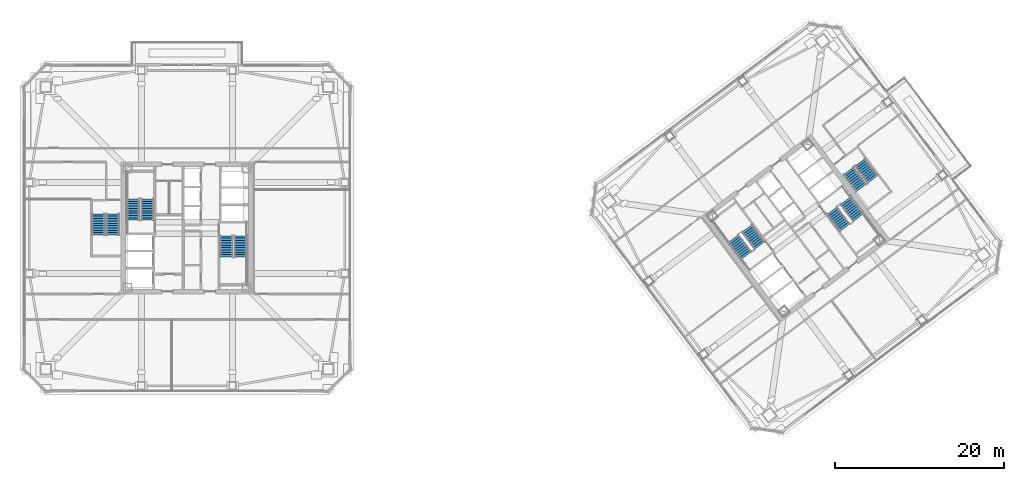
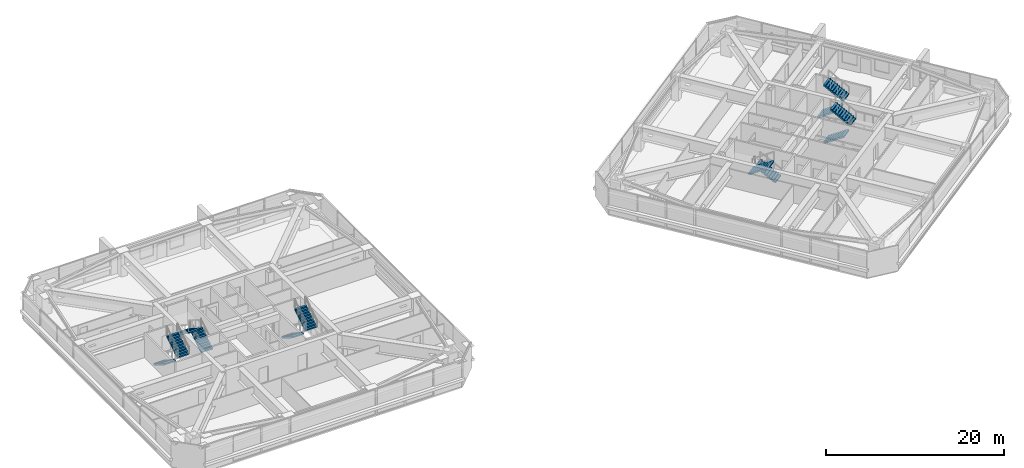
# One storey, part 36 of 42: 12 stair flights, 6 elements without a shape of their own.
"""IFC4 building model written with IfcOpenShell, lengths in metres."""

import ifcopenshell
import ifcopenshell.guid

model = None  # the IFC model being written
_history = None  # IfcOwnerHistory: only IFC2X3 demands one
_inside = {}  # id of a spatial element -> (the spatial element, [elements in it])
_under = {}  # id of a project, library or spatial element -> (it, [spatial elements below it])
_declared = {}  # id of a project -> (the project, [libraries it declares])
_typed = {}  # id of a type object -> (the type object, [elements of that type])
_made_of = {}  # id of a material, layer set ... -> (it, [elements and type objects made of it])


def new_model(schema):
    """Start an empty IFC model of exactly this schema.

    Asked for "IFC4X3", IfcOpenShell would pick the latest addendum, in which some entities
    have other attributes; the version numbers below select the first issue.
    IFC2X3 requires an IfcOwnerHistory on every rooted entity: one is made here for all.
    """
    global model, _history
    if schema == "IFC4X3":
        model = ifcopenshell.file(schema_version=(4, 3, 0, 0))
    else:
        model = ifcopenshell.file(schema=schema)
    _inside.clear()
    _under.clear()
    _declared.clear()
    _typed.clear()
    _made_of.clear()
    _history = None
    if model.schema == "IFC2X3":
        org = make("IfcOrganization", Name="unknown")
        user = make(
            "IfcPersonAndOrganization",
            ThePerson=make("IfcPerson", FamilyName="unknown"),
            TheOrganization=org,
        )
        app = make(
            "IfcApplication",
            ApplicationDeveloper=org,
            Version="unknown",
            ApplicationFullName="unknown",
            ApplicationIdentifier="unknown",
        )
        _history = make(
            "IfcOwnerHistory",
            OwningUser=user,
            OwningApplication=app,
            ChangeAction="ADDED",
            CreationDate=0,
        )
    return model


def make(cls, **values):
    """One entity of the class cls with the attributes given. An attribute that is None is left unset."""
    return model.create_entity(
        cls, **{name: value for name, value in values.items() if value is not None}
    )


def rooted(cls, **values):
    """An entity with a GlobalId (a new one), such as an element, a storey or a relation."""
    return make(cls, GlobalId=ifcopenshell.guid.new(), OwnerHistory=_history, **values)


def si_unit(unit_type, name, prefix=None):
    """IfcSIUnit, for example si_unit("LENGTHUNIT", "METRE", prefix="MILLI")."""
    return make("IfcSIUnit", UnitType=unit_type, Prefix=prefix, Name=name)


def assignment(units):
    """IfcUnitAssignment: the units of a project."""
    return None if units is None else make("IfcUnitAssignment", Units=units)


def point(xyz):
    """IfcCartesianPoint."""
    return None if xyz is None else make("IfcCartesianPoint", Coordinates=xyz)


def direction(xyz):
    """IfcDirection."""
    return None if xyz is None else make("IfcDirection", DirectionRatios=xyz)


def frame(location, z_axis=None, x_axis=None):
    """IfcAxis2Placement3D, a coordinate frame: its origin and axes. An axis left out is left unset."""
    return make(
        "IfcAxis2Placement3D",
        Location=point(location),
        Axis=direction(z_axis),
        RefDirection=direction(x_axis),
    )


def origin():
    """The frame at (0, 0, 0) with its axes left unset."""
    return frame((0.0, 0.0, 0.0))


def place(relative_to, where):
    """IfcLocalPlacement: puts the frame where relative to a parent placement (None: the world)."""
    return make(
        "IfcLocalPlacement", PlacementRelTo=relative_to, RelativePlacement=where
    )


def context(
    kind, dimensions, precision=None, world=None, true_north=None, identifier=None
):
    """IfcGeometricRepresentationContext, for example the 3D "Model" context."""
    return make(
        "IfcGeometricRepresentationContext",
        ContextIdentifier=identifier,
        ContextType=kind,
        CoordinateSpaceDimension=dimensions,
        Precision=precision,
        WorldCoordinateSystem=world,
        TrueNorth=true_north,
    )


def subcontext(parent, identifier, kind, view, scale=None):
    """IfcGeometricRepresentationSubContext, for example "Body" below "Model"."""
    return make(
        "IfcGeometricRepresentationSubContext",
        ContextIdentifier=identifier,
        ContextType=kind,
        ParentContext=parent,
        TargetScale=scale,
        TargetView=view,
    )


def project(units=None, contexts=None):
    """IfcProject with its units and contexts."""
    return rooted(
        "IfcProject",
        Name="project",
        RepresentationContexts=contexts,
        UnitsInContext=assignment(units),
    )


def spatial(cls, under=None, at=None, **own):
    """A site, building, storey or space (cls), placed at a placement, below another one or the project."""
    s = rooted(cls, ObjectPlacement=at, **own)
    if under is not None:
        _under.setdefault(under.id(), (under, []))[1].append(s)
    return s


def polyline(points):
    """IfcPolyline through the points."""
    return make("IfcPolyline", Points=[point(p) for p in points])


def outline(outer, holes=None, kind="AREA"):
    """IfcArbitraryClosedProfileDef: a profile drawn as a closed curve; with holes, ...WithVoids."""
    if holes is None:
        return make("IfcArbitraryClosedProfileDef", ProfileType=kind, OuterCurve=outer)
    return make(
        "IfcArbitraryProfileDefWithVoids",
        ProfileType=kind,
        OuterCurve=outer,
        InnerCurves=holes,
    )


def extrude(swept, where, along, depth):
    """IfcExtrudedAreaSolid: the profile swept, set in the frame where, extruded along a direction by depth."""
    return make(
        "IfcExtrudedAreaSolid",
        SweptArea=swept,
        Position=where,
        ExtrudedDirection=direction(along),
        Depth=depth,
    )


def shape(context_of_items, identifier, shape_type, items):
    """IfcShapeRepresentation: the items that make up one representation, for example the "Body"."""
    return make(
        "IfcShapeRepresentation",
        ContextOfItems=context_of_items,
        RepresentationIdentifier=identifier,
        RepresentationType=shape_type,
        Items=items,
    )


def material(Name=None, Category=None):
    """IfcMaterial."""
    return make("IfcMaterial", Name=Name, Category=Category)


def made_of(thing, what):
    """Note that an element or type object is made of a material, layer set ...; save() writes the relation."""
    if what is not None:
        _made_of.setdefault(what.id(), (what, []))[1].append(thing)
    return thing


def type_object(cls, material=None, **own):
    """A type object (cls), such as IfcWallType, which elements share."""
    return made_of(rooted(cls, **own), material)


def element(
    cls,
    number,
    at=None,
    inside=None,
    cuts=None,
    type_object=None,
    material=None,
    context=None,
    identifier="Body",
    shape_type=None,
    held_by="IfcProductDefinitionShape",
    body=None,
    shapes=None,
    **own,
):
    """One element of the class cls, such as IfcWall. Its Tag is "e" and its number.

    at: its placement. inside: the storey or other place that contains it. cuts: it is an
    opening in that element (IfcRelVoidsElement). A single representation is given by context,
    identifier, shape_type and body (its items); several are given by shapes. held_by: the class
    of the entity that holds the representations. save() writes the other relations.
    """
    e = rooted(cls, Tag="e%d" % number, ObjectPlacement=at, **own)
    if body is not None:
        shapes = [shape(context, identifier, shape_type, body)]
    if shapes is not None:
        e.Representation = make(held_by, Representations=shapes)
    if inside is not None:
        _inside.setdefault(inside.id(), (inside, []))[1].append(e)
    if cuts is not None:
        rooted(
            "IfcRelVoidsElement", RelatingBuildingElement=cuts, RelatedOpeningElement=e
        )
    if type_object is not None:
        _typed.setdefault(type_object.id(), (type_object, []))[1].append(e)
    return made_of(e, material)


def aggregate(whole, parts):
    """IfcRelAggregates: a whole, such as a stair, and the parts it consists of."""
    return rooted("IfcRelAggregates", RelatingObject=whole, RelatedObjects=parts)


def save(model, path):
    """Write the relations noted so far, then the file.

    IfcRelAggregates (storeys below a building ...), IfcRelContainedInSpatialStructure (elements
    in a storey), IfcRelDefinesByType, IfcRelAssociatesMaterial and IfcRelDeclares: one each for
    every whole, place, type object, material and project.
    """
    for whole, parts in _under.values():
        aggregate(whole, parts)
    for where, things in _inside.values():
        rooted(
            "IfcRelContainedInSpatialStructure",
            RelatedElements=things,
            RelatingStructure=where,
        )
    for kind, things in _typed.values():
        rooted("IfcRelDefinesByType", RelatedObjects=things, RelatingType=kind)
    for what, things in _made_of.values():
        rooted("IfcRelAssociatesMaterial", RelatedObjects=things, RelatingMaterial=what)
    for by, libraries in _declared.values():
        rooted("IfcRelDeclares", RelatingContext=by, RelatedDefinitions=libraries)
    model.write(path)


model = new_model("IFC4")

# Units and contexts
model_context = context("Model", 3, precision=1e-05, world=origin(), true_north=direction((0.0, 1.0)))
body_context = subcontext(model_context, "Body", "Model", "MODEL_VIEW")
ifc_project = project(units=[si_unit("LENGTHUNIT", "METRE"), si_unit("AREAUNIT", "SQUARE_METRE"), si_unit("VOLUMEUNIT", "CUBIC_METRE"), si_unit("PLANEANGLEUNIT", "RADIAN"), si_unit("MASSUNIT", "GRAM", prefix="KILO")], contexts=[model_context])

# Site, building, storey
site_placement = place(None, origin())
site = spatial("IfcSite", under=ifc_project, at=site_placement, CompositionType="ELEMENT")
building_placement = place(site_placement, origin())
building = spatial("IfcBuilding", under=site, at=building_placement, Name="Tashvorn Skyway Center", CompositionType="ELEMENT")
storey_placement = place(building_placement, frame((0.0, 0.0, 153.449951171875)))
storey = spatial("IfcBuildingStorey", under=building, at=storey_placement, Name="L41", CompositionType="ELEMENT", Elevation=153.449951171875)

# Stair, stair flights
ifc_material = material(Name="Concrete C40/50", Category="concrete")
stair_type = type_object("IfcStairType", Name="STAIR-CORE-1500", PredefinedType="HALF_TURN_STAIR", material=ifc_material)
stair_1_placement = place(storey_placement, origin())
stair_1 = element("IfcStair", 1, at=stair_1_placement, inside=storey, type_object=stair_type, Name="L41 Tower 1 Exit Stair 1", PredefinedType="HALF_TURN_STAIR")
stair_flight_type = type_object("IfcStairFlightType", Name="SFLIGHT-1500", PredefinedType="STRAIGHT", material=ifc_material)
stair_flight_1_placement = place(storey_placement, frame((37.35009765625, 32.919921875, 0.0), z_axis=(0.0, 0.0, 1.0), x_axis=(0.0, 1.0, 0.0)))
stair_flight_1 = element("IfcStairFlight", 2, at=stair_flight_1_placement, type_object=stair_flight_type, Name="ST-T1-1 flight 1", NumberOfRisers=10, NumberOfTreads=9, PredefinedType="STRAIGHT", RiserHeight=0.1775, TreadLength=0.28, context=body_context, shape_type="SweptSolid", body=[
    extrude(outline(polyline([(0.0, 0.0), (0.0, 0.177490234375), (0.280029296875, 0.177490234375), (0.280029296875, 0.35498046875), (0.56005859375, 0.35498046875), (0.56005859375, 0.532470703125), (0.840087890625, 0.532470703125), (0.840087890625, 0.7099609375), (1.1201171875, 0.7099609375), (1.1201171875, 0.887451171875), (1.39990234375, 0.887451171875), (1.39990234375, 1.06494140625), (1.679931640625, 1.06494140625), (1.679931640625, 1.242431640625), (1.9599609375, 1.242431640625), (1.9599609375, 1.419921875), (2.239990234375, 1.419921875), (2.239990234375, 1.597412109375), (2.52001953125, 1.597412109375), (2.52001953125, 1.77490234375), (2.52001953125, 1.419921875), (0.280029296875, 0.0), (0.0, 0.0)])), frame((0.0, 0.75, 0.0), z_axis=(0.0, -1.0, 0.0), x_axis=(1.0, 0.0, 0.0)), (0.0, 0.0, 1.0), 1.5),
])
stair_flight_2_placement = place(storey_placement, frame((35.64990234375, 35.43994140625, 1.775146484375), z_axis=(0.0, 0.0, 1.0), x_axis=(0.0, -1.0, 0.0)))
stair_flight_2 = element("IfcStairFlight", 3, at=stair_flight_2_placement, type_object=stair_flight_type, Name="ST-T1-1 flight 2", NumberOfRisers=10, NumberOfTreads=9, PredefinedType="STRAIGHT", RiserHeight=0.1775, TreadLength=0.28, context=body_context, shape_type="SweptSolid", body=[
    extrude(outline(polyline([(0.0, 0.0), (0.0, 0.177490234375), (0.280029296875, 0.177490234375), (0.280029296875, 0.35498046875), (0.56005859375, 0.35498046875), (0.56005859375, 0.532470703125), (0.840087890625, 0.532470703125), (0.840087890625, 0.7099609375), (1.1201171875, 0.7099609375), (1.1201171875, 0.887451171875), (1.39990234375, 0.887451171875), (1.39990234375, 1.06494140625), (1.679931640625, 1.06494140625), (1.679931640625, 1.242431640625), (1.9599609375, 1.242431640625), (1.9599609375, 1.419921875), (2.239990234375, 1.419921875), (2.239990234375, 1.597412109375), (2.52001953125, 1.597412109375), (2.52001953125, 1.77490234375), (2.52001953125, 1.419921875), (0.280029296875, 0.0), (0.0, 0.0)])), frame((0.0, 0.75, 0.0), z_axis=(0.0, -1.0, 0.0), x_axis=(1.0, 0.0, 0.0)), (0.0, 0.0, 1.0), 1.5),
])
aggregate(stair_1, [stair_flight_1, stair_flight_2])

stair_2_placement = place(storey_placement, origin())
stair_2 = element("IfcStair", 4, at=stair_2_placement, inside=storey, type_object=stair_type, Name="L41 Tower 1 Exit Stair 2", PredefinedType="HALF_TURN_STAIR")
stair_flight_3_placement = place(storey_placement, frame((46.64990234375, 31.080078125, 0.0), z_axis=(0.0, 0.0, 1.0), x_axis=(0.0, -1.0, 0.0)))
stair_flight_3 = element("IfcStairFlight", 5, at=stair_flight_3_placement, type_object=stair_flight_type, Name="ST-T1-2 flight 1", NumberOfRisers=10, NumberOfTreads=9, PredefinedType="STRAIGHT", RiserHeight=0.1775, TreadLength=0.28, context=body_context, shape_type="SweptSolid", body=[
    extrude(outline(polyline([(0.0, 0.0), (0.0, 0.177490234375), (0.280029296875, 0.177490234375), (0.280029296875, 0.35498046875), (0.56005859375, 0.35498046875), (0.56005859375, 0.532470703125), (0.840087890625, 0.532470703125), (0.840087890625, 0.7099609375), (1.1201171875, 0.7099609375), (1.1201171875, 0.887451171875), (1.39990234375, 0.887451171875), (1.39990234375, 1.06494140625), (1.679931640625, 1.06494140625), (1.679931640625, 1.242431640625), (1.9599609375, 1.242431640625), (1.9599609375, 1.419921875), (2.239990234375, 1.419921875), (2.239990234375, 1.597412109375), (2.52001953125, 1.597412109375), (2.52001953125, 1.77490234375), (2.52001953125, 1.419921875), (0.280029296875, 0.0), (0.0, 0.0)])), frame((0.0, 0.75, 0.0), z_axis=(0.0, -1.0, 0.0), x_axis=(1.0, 0.0, 0.0)), (0.0, 0.0, 1.0), 1.5),
])
stair_flight_4_placement = place(storey_placement, frame((48.35009765625, 28.56005859375, 1.775146484375), z_axis=(0.0, 0.0, 1.0), x_axis=(0.0, 1.0, 0.0)))
stair_flight_4 = element("IfcStairFlight", 6, at=stair_flight_4_placement, type_object=stair_flight_type, Name="ST-T1-2 flight 2", NumberOfRisers=10, NumberOfTreads=9, PredefinedType="STRAIGHT", RiserHeight=0.1775, TreadLength=0.28, context=body_context, shape_type="SweptSolid", body=[
    extrude(outline(polyline([(0.0, 0.0), (0.0, 0.177490234375), (0.280029296875, 0.177490234375), (0.280029296875, 0.35498046875), (0.56005859375, 0.35498046875), (0.56005859375, 0.532470703125), (0.840087890625, 0.532470703125), (0.840087890625, 0.7099609375), (1.1201171875, 0.7099609375), (1.1201171875, 0.887451171875), (1.39990234375, 0.887451171875), (1.39990234375, 1.06494140625), (1.679931640625, 1.06494140625), (1.679931640625, 1.242431640625), (1.9599609375, 1.242431640625), (1.9599609375, 1.419921875), (2.239990234375, 1.419921875), (2.239990234375, 1.597412109375), (2.52001953125, 1.597412109375), (2.52001953125, 1.77490234375), (2.52001953125, 1.419921875), (0.280029296875, 0.0), (0.0, 0.0)])), frame((0.0, 0.75, 0.0), z_axis=(0.0, -1.0, 0.0), x_axis=(1.0, 0.0, 0.0)), (0.0, 0.0, 1.0), 1.5),
])
aggregate(stair_2, [stair_flight_3, stair_flight_4])

stair_3_placement = place(storey_placement, origin())
stair_3 = element("IfcStair", 7, at=stair_3_placement, inside=storey, type_object=stair_type, Name="L41 Tower 2 Exit Stair 1", PredefinedType="HALF_TURN_STAIR")
stair_flight_5_placement = place(storey_placement, frame((109.72802734375, 29.946044921875, 0.0), z_axis=(0.0, 0.0, 1.0), x_axis=(-0.600000004945, 0.799999996291, 0.0)))
stair_flight_5 = element("IfcStairFlight", 8, at=stair_flight_5_placement, type_object=stair_flight_type, Name="ST-T2-1 flight 1", NumberOfRisers=10, NumberOfTreads=9, PredefinedType="STRAIGHT", RiserHeight=0.1775, TreadLength=0.28, context=body_context, shape_type="SweptSolid", body=[
    extrude(outline(polyline([(0.0, 0.0), (0.0, 0.177490234375), (0.280029296875, 0.177490234375), (0.280029296875, 0.35498046875), (0.56005859375, 0.35498046875), (0.56005859375, 0.532470703125), (0.840087890625, 0.532470703125), (0.840087890625, 0.7099609375), (1.1201171875, 0.7099609375), (1.1201171875, 0.887451171875), (1.39990234375, 0.887451171875), (1.39990234375, 1.06494140625), (1.679931640625, 1.06494140625), (1.679931640625, 1.242431640625), (1.9599609375, 1.242431640625), (1.9599609375, 1.419921875), (2.239990234375, 1.419921875), (2.239990234375, 1.597412109375), (2.52001953125, 1.597412109375), (2.52001953125, 1.77490234375), (2.52001953125, 1.419921875), (0.280029296875, 0.0), (0.0, 0.0)])), frame((0.0, 0.75, 0.0), z_axis=(0.0, -1.0, 0.0), x_axis=(1.0, 0.0, 0.0)), (0.0, 0.0, 1.0), 1.5),
])
stair_flight_6_placement = place(storey_placement, frame((106.632080078125, 30.77392578125, 1.775146484375), z_axis=(0.0, 0.0, 1.0), x_axis=(0.600000004945, -0.799999996291, 0.0)))
stair_flight_6 = element("IfcStairFlight", 9, at=stair_flight_6_placement, type_object=stair_flight_type, Name="ST-T2-1 flight 2", NumberOfRisers=10, NumberOfTreads=9, PredefinedType="STRAIGHT", RiserHeight=0.1775, TreadLength=0.28, context=body_context, shape_type="SweptSolid", body=[
    extrude(outline(polyline([(0.0, 0.0), (0.0, 0.177490234375), (0.280029296875, 0.177490234375), (0.280029296875, 0.35498046875), (0.56005859375, 0.35498046875), (0.56005859375, 0.532470703125), (0.840087890625, 0.532470703125), (0.840087890625, 0.7099609375), (1.1201171875, 0.7099609375), (1.1201171875, 0.887451171875), (1.39990234375, 0.887451171875), (1.39990234375, 1.06494140625), (1.679931640625, 1.06494140625), (1.679931640625, 1.242431640625), (1.9599609375, 1.242431640625), (1.9599609375, 1.419921875), (2.239990234375, 1.419921875), (2.239990234375, 1.597412109375), (2.52001953125, 1.597412109375), (2.52001953125, 1.77490234375), (2.52001953125, 1.419921875), (0.280029296875, 0.0), (0.0, 0.0)])), frame((0.0, 0.75, 0.0), z_axis=(0.0, -1.0, 0.0), x_axis=(1.0, 0.0, 0.0)), (0.0, 0.0, 1.0), 1.5),
])
aggregate(stair_3, [stair_flight_5, stair_flight_6])

stair_4_placement = place(storey_placement, origin())
stair_4 = element("IfcStair", 10, at=stair_4_placement, inside=storey, type_object=stair_type, Name="L41 Tower 2 Exit Stair 2", PredefinedType="HALF_TURN_STAIR")
stair_flight_7_placement = place(storey_placement, frame((118.27197265625, 34.053955078125, 0.0), z_axis=(0.0, 0.0, 1.0), x_axis=(0.600000004945, -0.799999996291, 0.0)))
stair_flight_7 = element("IfcStairFlight", 11, at=stair_flight_7_placement, type_object=stair_flight_type, Name="ST-T2-2 flight 1", NumberOfRisers=10, NumberOfTreads=9, PredefinedType="STRAIGHT", RiserHeight=0.1775, TreadLength=0.28, context=body_context, shape_type="SweptSolid", body=[
    extrude(outline(polyline([(0.0, 0.0), (0.0, 0.177490234375), (0.280029296875, 0.177490234375), (0.280029296875, 0.35498046875), (0.56005859375, 0.35498046875), (0.56005859375, 0.532470703125), (0.840087890625, 0.532470703125), (0.840087890625, 0.7099609375), (1.1201171875, 0.7099609375), (1.1201171875, 0.887451171875), (1.39990234375, 0.887451171875), (1.39990234375, 1.06494140625), (1.679931640625, 1.06494140625), (1.679931640625, 1.242431640625), (1.9599609375, 1.242431640625), (1.9599609375, 1.419921875), (2.239990234375, 1.419921875), (2.239990234375, 1.597412109375), (2.52001953125, 1.597412109375), (2.52001953125, 1.77490234375), (2.52001953125, 1.419921875), (0.280029296875, 0.0), (0.0, 0.0)])), frame((0.0, 0.75, 0.0), z_axis=(0.0, -1.0, 0.0), x_axis=(1.0, 0.0, 0.0)), (0.0, 0.0, 1.0), 1.5),
])
stair_flight_8_placement = place(storey_placement, frame((121.367919921875, 33.22607421875, 1.775146484375), z_axis=(0.0, 0.0, 1.0), x_axis=(-0.600000004945, 0.799999996291, 0.0)))
stair_flight_8 = element("IfcStairFlight", 12, at=stair_flight_8_placement, type_object=stair_flight_type, Name="ST-T2-2 flight 2", NumberOfRisers=10, NumberOfTreads=9, PredefinedType="STRAIGHT", RiserHeight=0.1775, TreadLength=0.28, context=body_context, shape_type="SweptSolid", body=[
    extrude(outline(polyline([(0.0, 0.0), (0.0, 0.177490234375), (0.280029296875, 0.177490234375), (0.280029296875, 0.35498046875), (0.56005859375, 0.35498046875), (0.56005859375, 0.532470703125), (0.840087890625, 0.532470703125), (0.840087890625, 0.7099609375), (1.1201171875, 0.7099609375), (1.1201171875, 0.887451171875), (1.39990234375, 0.887451171875), (1.39990234375, 1.06494140625), (1.679931640625, 1.06494140625), (1.679931640625, 1.242431640625), (1.9599609375, 1.242431640625), (1.9599609375, 1.419921875), (2.239990234375, 1.419921875), (2.239990234375, 1.597412109375), (2.52001953125, 1.597412109375), (2.52001953125, 1.77490234375), (2.52001953125, 1.419921875), (0.280029296875, 0.0), (0.0, 0.0)])), frame((0.0, 0.75, 0.0), z_axis=(0.0, -1.0, 0.0), x_axis=(1.0, 0.0, 0.0)), (0.0, 0.0, 1.0), 1.5),
])
aggregate(stair_4, [stair_flight_7, stair_flight_8])

stair_5_placement = place(storey_placement, origin())
stair_5 = element("IfcStair", 13, at=stair_5_placement, inside=storey, type_object=stair_type, Name="L41 Tower 1 Exit Stair 3", PredefinedType="HALF_TURN_STAIR")
stair_flight_9_placement = place(storey_placement, frame((31.550048828125, 33.679931640625, 0.0), z_axis=(0.0, 0.0, 1.0), x_axis=(0.0, -1.0, 0.0)))
stair_flight_9 = element("IfcStairFlight", 14, at=stair_flight_9_placement, type_object=stair_flight_type, Name="ST-T1-3 flight 1", NumberOfRisers=10, NumberOfTreads=9, PredefinedType="STRAIGHT", RiserHeight=0.1775, TreadLength=0.28, context=body_context, shape_type="SweptSolid", body=[
    extrude(outline(polyline([(0.0, 0.0), (0.0, 0.177490234375), (0.280029296875, 0.177490234375), (0.280029296875, 0.35498046875), (0.56005859375, 0.35498046875), (0.56005859375, 0.532470703125), (0.840087890625, 0.532470703125), (0.840087890625, 0.7099609375), (1.1201171875, 0.7099609375), (1.1201171875, 0.887451171875), (1.39990234375, 0.887451171875), (1.39990234375, 1.06494140625), (1.679931640625, 1.06494140625), (1.679931640625, 1.242431640625), (1.9599609375, 1.242431640625), (1.9599609375, 1.419921875), (2.239990234375, 1.419921875), (2.239990234375, 1.597412109375), (2.52001953125, 1.597412109375), (2.52001953125, 1.77490234375), (2.52001953125, 1.419921875), (0.280029296875, 0.0), (0.0, 0.0)])), frame((0.0, 0.75, 0.0), z_axis=(0.0, -1.0, 0.0), x_axis=(1.0, 0.0, 0.0)), (0.0, 0.0, 1.0), 1.5),
])
stair_flight_10_placement = place(storey_placement, frame((33.25, 31.159912109375, 1.775146484375), z_axis=(0.0, 0.0, 1.0), x_axis=(0.0, 1.0, 0.0)))
stair_flight_10 = element("IfcStairFlight", 15, at=stair_flight_10_placement, type_object=stair_flight_type, Name="ST-T1-3 flight 2", NumberOfRisers=10, NumberOfTreads=9, PredefinedType="STRAIGHT", RiserHeight=0.1775, TreadLength=0.28, context=body_context, shape_type="SweptSolid", body=[
    extrude(outline(polyline([(0.0, 0.0), (0.0, 0.177490234375), (0.280029296875, 0.177490234375), (0.280029296875, 0.35498046875), (0.56005859375, 0.35498046875), (0.56005859375, 0.532470703125), (0.840087890625, 0.532470703125), (0.840087890625, 0.7099609375), (1.1201171875, 0.7099609375), (1.1201171875, 0.887451171875), (1.39990234375, 0.887451171875), (1.39990234375, 1.06494140625), (1.679931640625, 1.06494140625), (1.679931640625, 1.242431640625), (1.9599609375, 1.242431640625), (1.9599609375, 1.419921875), (2.239990234375, 1.419921875), (2.239990234375, 1.597412109375), (2.52001953125, 1.597412109375), (2.52001953125, 1.77490234375), (2.52001953125, 1.419921875), (0.280029296875, 0.0), (0.0, 0.0)])), frame((0.0, 0.75, 0.0), z_axis=(0.0, -1.0, 0.0), x_axis=(1.0, 0.0, 0.0)), (0.0, 0.0, 1.0), 1.5),
])
aggregate(stair_5, [stair_flight_9, stair_flight_10])

stair_6_placement = place(storey_placement, origin())
stair_6 = element("IfcStair", 16, at=stair_6_placement, inside=storey, type_object=stair_type, Name="L41 Tower 2 Exit Stair 3", PredefinedType="HALF_TURN_STAIR")
stair_flight_11_placement = place(storey_placement, frame((120.216064453125, 38.761962890625, 0.0), z_axis=(0.0, 0.0, 1.0), x_axis=(0.600000004945, -0.799999996291, 0.0)))
stair_flight_11 = element("IfcStairFlight", 17, at=stair_flight_11_placement, type_object=stair_flight_type, Name="ST-T2-3 flight 1", NumberOfRisers=10, NumberOfTreads=9, PredefinedType="STRAIGHT", RiserHeight=0.1775, TreadLength=0.28, context=body_context, shape_type="SweptSolid", body=[
    extrude(outline(polyline([(0.0, 0.0), (0.0, 0.177490234375), (0.280029296875, 0.177490234375), (0.280029296875, 0.35498046875), (0.56005859375, 0.35498046875), (0.56005859375, 0.532470703125), (0.840087890625, 0.532470703125), (0.840087890625, 0.7099609375), (1.1201171875, 0.7099609375), (1.1201171875, 0.887451171875), (1.39990234375, 0.887451171875), (1.39990234375, 1.06494140625), (1.679931640625, 1.06494140625), (1.679931640625, 1.242431640625), (1.9599609375, 1.242431640625), (1.9599609375, 1.419921875), (2.239990234375, 1.419921875), (2.239990234375, 1.597412109375), (2.52001953125, 1.597412109375), (2.52001953125, 1.77490234375), (2.52001953125, 1.419921875), (0.280029296875, 0.0), (0.0, 0.0)])), frame((0.0, 0.75, 0.0), z_axis=(0.0, -1.0, 0.0), x_axis=(1.0, 0.0, 0.0)), (0.0, 0.0, 1.0), 1.5),
])
stair_flight_12_placement = place(storey_placement, frame((123.087890625, 37.76611328125, 1.775146484375), z_axis=(0.0, 0.0, 1.0), x_axis=(-0.600000004945, 0.799999996291, 0.0)))
stair_flight_12 = element("IfcStairFlight", 18, at=stair_flight_12_placement, type_object=stair_flight_type, Name="ST-T2-3 flight 2", NumberOfRisers=10, NumberOfTreads=9, PredefinedType="STRAIGHT", RiserHeight=0.1775, TreadLength=0.28, context=body_context, shape_type="SweptSolid", body=[
    extrude(outline(polyline([(0.0, 0.0), (0.0, 0.177490234375), (0.280029296875, 0.177490234375), (0.280029296875, 0.35498046875), (0.56005859375, 0.35498046875), (0.56005859375, 0.532470703125), (0.840087890625, 0.532470703125), (0.840087890625, 0.7099609375), (1.1201171875, 0.7099609375), (1.1201171875, 0.887451171875), (1.39990234375, 0.887451171875), (1.39990234375, 1.06494140625), (1.679931640625, 1.06494140625), (1.679931640625, 1.242431640625), (1.9599609375, 1.242431640625), (1.9599609375, 1.419921875), (2.239990234375, 1.419921875), (2.239990234375, 1.597412109375), (2.52001953125, 1.597412109375), (2.52001953125, 1.77490234375), (2.52001953125, 1.419921875), (0.280029296875, 0.0), (0.0, 0.0)])), frame((0.0, 0.75, 0.0), z_axis=(0.0, -1.0, 0.0), x_axis=(1.0, 0.0, 0.0)), (0.0, 0.0, 1.0), 1.5),
])
aggregate(stair_6, [stair_flight_11, stair_flight_12])

save(model, "model.ifc")
